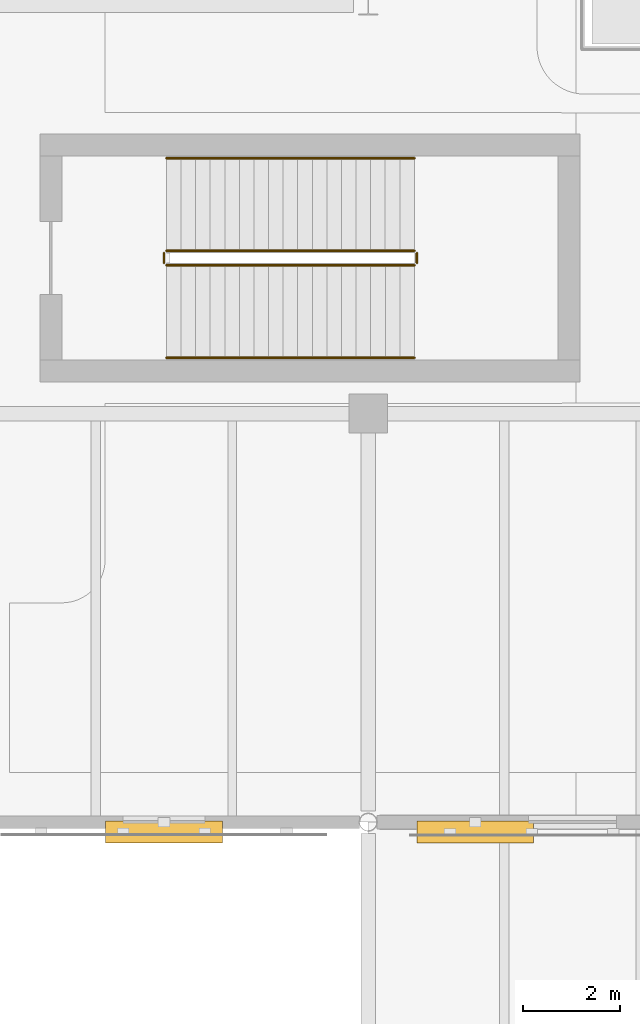
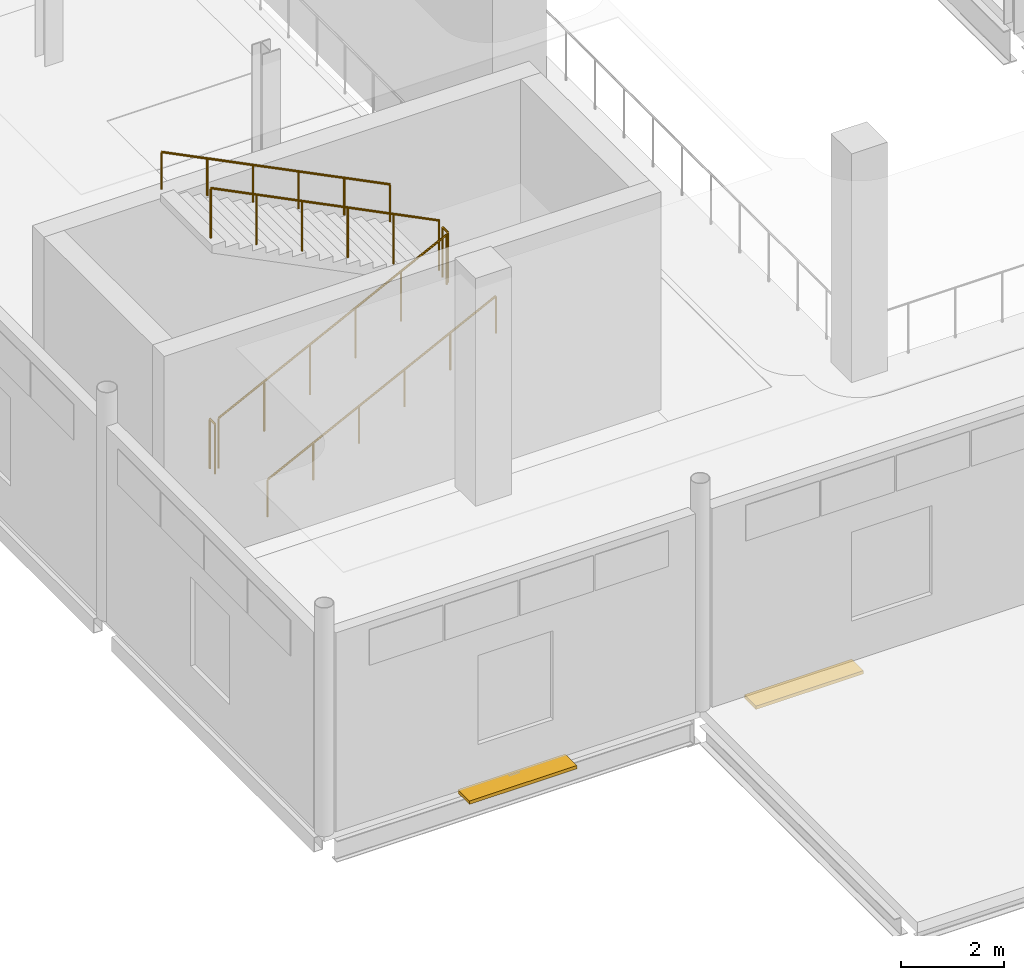
# One storey, part 90 of 110: 6 railings, 2 shading devices.
"""IFC4 building model written with IfcOpenShell, lengths in metres."""

from ifc_helpers import new_model, si_unit, direction, frame, origin, origin_2d, place, context, subcontext, project, spatial, rectangle, circle, extrude, material, type_object, element, save


model = new_model("IFC4")

# Units and contexts
model_context = context("Model", 3, precision=1e-05, world=origin(), true_north=direction((0.0, 1.0)))
body_context = subcontext(model_context, "Body", "Model", "MODEL_VIEW")
ifc_project = project(units=[si_unit("LENGTHUNIT", "METRE"), si_unit("AREAUNIT", "SQUARE_METRE"), si_unit("VOLUMEUNIT", "CUBIC_METRE"), si_unit("PLANEANGLEUNIT", "RADIAN"), si_unit("MASSUNIT", "GRAM", prefix="KILO"), si_unit("THERMODYNAMICTEMPERATUREUNIT", "KELVIN")], contexts=[model_context])

# Site, building, storey
site_placement = place(None, origin())
site = spatial("IfcSite", under=ifc_project, at=site_placement, CompositionType="ELEMENT")
building_placement = place(site_placement, origin())
building = spatial("IfcBuilding", under=site, at=building_placement, Name="Lustrewick Department Store", CompositionType="ELEMENT")
storey_placement = place(building_placement, frame((0.0, 0.0, 6.0)))
storey = spatial("IfcBuildingStorey", under=building, at=storey_placement, Name="L02", CompositionType="ELEMENT", Elevation=6.0)

# Railings
ifc_material_1 = material(Name="Painted tubular steel stairwell guardrail", Category="steel")
railing_type_1 = type_object("IfcRailingType", Name="RL-STG", PredefinedType="GUARDRAIL", material=ifc_material_1)
railing_1_placement = place(storey_placement, frame((121.85009765625, 19.85009765625, 0.14990234375)))
element("IfcRailing", 1, at=railing_1_placement, inside=storey, type_object=railing_type_1, Name="L02 ST07 Stair Guard 1", PredefinedType="GUARDRAIL", context=body_context, shape_type="SweptSolid", body=[
    extrude(circle(Radius=0.02392578125, at=origin_2d()), frame((0.0, 0.0, 1.17578125), z_axis=(0.894418627299, 0.0, 0.447230722492), x_axis=(0.0, 1.0, 0.0)), (0.0, 0.0, 1.0), 5.701904296875),
    extrude(circle(Radius=0.02099609375, at=origin_2d()), origin(), (0.0, 0.0, 1.0), 1.15185546875),
    extrude(circle(Radius=0.02099609375, at=origin_2d()), frame((1.02001953125, 0.0, 0.510009765625)), (0.0, 0.0, 1.0), 1.15185546875),
    extrude(circle(Radius=0.02099609375, at=origin_2d()), frame((2.0400390625, 0.0, 1.02001953125)), (0.0, 0.0, 1.0), 1.15185546875),
    extrude(circle(Radius=0.02099609375, at=origin_2d()), frame((3.059814453125, 0.0, 1.530029296875)), (0.0, 0.0, 1.0), 1.15185546875),
    extrude(circle(Radius=0.02099609375, at=origin_2d()), frame((4.079833984375, 0.0, 2.0400390625)), (0.0, 0.0, 1.0), 1.15185546875),
    extrude(circle(Radius=0.02099609375, at=origin_2d()), frame((5.099853515625, 0.0, 2.550048828125)), (0.0, 0.0, 1.0), 1.15185546875),
])
railing_2_placement = place(storey_placement, frame((127.0, 19.89990234375, 2.699951171875)))
element("IfcRailing", 2, at=railing_2_placement, inside=storey, type_object=railing_type_1, Name="L02 ST07 Stair Guard 2", PredefinedType="GUARDRAIL", context=body_context, shape_type="SweptSolid", body=[
    extrude(circle(Radius=0.02392578125, at=origin_2d()), frame((0.0, 0.0, 1.17578125), z_axis=(0.0, 1.0, 0.0), x_axis=(-1.0, 0.0, 0.0)), (0.0, 0.0, 1.0), 0.2001953125),
    extrude(circle(Radius=0.02099609375, at=origin_2d()), origin(), (0.0, 0.0, 1.0), 1.15185546875),
    extrude(circle(Radius=0.02099609375, at=origin_2d()), frame((0.0, 0.2001953125, 0.0)), (0.0, 0.0, 1.0), 1.15185546875),
])
railing_3_placement = place(storey_placement, frame((126.949951171875, 20.14990234375, 2.85009765625)))
element("IfcRailing", 3, at=railing_3_placement, inside=storey, type_object=railing_type_1, Name="L02 ST07 Stair Guard 3", PredefinedType="GUARDRAIL", context=body_context, shape_type="SweptSolid", body=[
    extrude(circle(Radius=0.02392578125, at=origin_2d()), frame((0.0, 0.0, 1.17578125), z_axis=(-0.894435754537, 0.0, 0.447196468016), x_axis=(0.0, -1.0, 0.0)), (0.0, 0.0, 1.0), 5.70166015625),
    extrude(circle(Radius=0.02099609375, at=origin_2d()), origin(), (0.0, 0.0, 1.0), 1.15185546875),
    extrude(circle(Radius=0.02099609375, at=origin_2d()), frame((-1.02001953125, 0.0, 0.510009765625)), (0.0, 0.0, 1.0), 1.15185546875),
    extrude(circle(Radius=0.02099609375, at=origin_2d()), frame((-2.0400390625, 0.0, 1.02001953125)), (0.0, 0.0, 1.0), 1.15185546875),
    extrude(circle(Radius=0.02099609375, at=origin_2d()), frame((-3.059814453125, 0.0, 1.52978515625)), (0.0, 0.0, 1.0), 1.15185546875),
    extrude(circle(Radius=0.02099609375, at=origin_2d()), frame((-4.079833984375, 0.0, 2.039794921875)), (0.0, 0.0, 1.0), 1.15185546875),
    extrude(circle(Radius=0.02099609375, at=origin_2d()), frame((-5.099853515625, 0.0, 2.5498046875)), (0.0, 0.0, 1.0), 1.15185546875),
])
railing_4_placement = place(storey_placement, frame((121.800048828125, 19.89990234375, 0.0)))
element("IfcRailing", 4, at=railing_4_placement, inside=storey, type_object=railing_type_1, Name="L02 ST07 Stair Guard 4", PredefinedType="GUARDRAIL", context=body_context, shape_type="SweptSolid", body=[
    extrude(circle(Radius=0.02392578125, at=origin_2d()), frame((0.0, 0.0, 1.17578125), z_axis=(0.0, 1.0, 0.0), x_axis=(-1.0, 0.0, 0.0)), (0.0, 0.0, 1.0), 0.2001953125),
    extrude(circle(Radius=0.02099609375, at=origin_2d()), origin(), (0.0, 0.0, 1.0), 1.15185546875),
    extrude(circle(Radius=0.02099609375, at=origin_2d()), frame((0.0, 0.2001953125, 0.0)), (0.0, 0.0, 1.0), 1.15185546875),
])
ifc_material_2 = material(Name="Brushed stainless steel wall handrail", Category="steel")
railing_type_2 = type_object("IfcRailingType", Name="RL-STH", PredefinedType="HANDRAIL", material=ifc_material_2)
railing_5_placement = place(storey_placement, frame((121.85009765625, 17.949951171875, 0.14990234375)))
element("IfcRailing", 5, at=railing_5_placement, inside=storey, type_object=railing_type_2, Name="L02 ST07 Stair Handrail 1", PredefinedType="HANDRAIL", context=body_context, shape_type="SweptSolid", body=[
    extrude(circle(Radius=0.02392578125, at=origin_2d()), frame((0.0, 0.0, 0.8759765625), z_axis=(0.894418627299, 0.0, 0.447230722492), x_axis=(0.0, 1.0, 0.0)), (0.0, 0.0, 1.0), 5.701904296875),
    extrude(circle(Radius=0.02099609375, at=origin_2d()), origin(), (0.0, 0.0, 1.0), 0.851806640625),
    extrude(circle(Radius=0.02099609375, at=origin_2d()), frame((1.02001953125, 0.0, 0.510009765625)), (0.0, 0.0, 1.0), 0.851806640625),
    extrude(circle(Radius=0.02099609375, at=origin_2d()), frame((2.0400390625, 0.0, 1.02001953125)), (0.0, 0.0, 1.0), 0.851806640625),
    extrude(circle(Radius=0.02099609375, at=origin_2d()), frame((3.059814453125, 0.0, 1.530029296875)), (0.0, 0.0, 1.0), 0.851806640625),
    extrude(circle(Radius=0.02099609375, at=origin_2d()), frame((4.079833984375, 0.0, 2.0400390625)), (0.0, 0.0, 1.0), 0.851806640625),
    extrude(circle(Radius=0.02099609375, at=origin_2d()), frame((5.099853515625, 0.0, 2.550048828125)), (0.0, 0.0, 1.0), 0.851806640625),
])
railing_6_placement = place(storey_placement, frame((126.949951171875, 22.050048828125, 2.85009765625)))
element("IfcRailing", 6, at=railing_6_placement, inside=storey, type_object=railing_type_2, Name="L02 ST07 Stair Handrail 2", PredefinedType="HANDRAIL", context=body_context, shape_type="SweptSolid", body=[
    extrude(circle(Radius=0.02392578125, at=origin_2d()), frame((0.0, 0.0, 0.8759765625), z_axis=(-0.894435754537, 0.0, 0.447196468016), x_axis=(0.0, -1.0, 0.0)), (0.0, 0.0, 1.0), 5.70166015625),
    extrude(circle(Radius=0.02099609375, at=origin_2d()), origin(), (0.0, 0.0, 1.0), 0.851806640625),
    extrude(circle(Radius=0.02099609375, at=origin_2d()), frame((-1.02001953125, 0.0, 0.510009765625)), (0.0, 0.0, 1.0), 0.851806640625),
    extrude(circle(Radius=0.02099609375, at=origin_2d()), frame((-2.0400390625, 0.0, 1.02001953125)), (0.0, 0.0, 1.0), 0.851806640625),
    extrude(circle(Radius=0.02099609375, at=origin_2d()), frame((-3.059814453125, 0.0, 1.52978515625)), (0.0, 0.0, 1.0), 0.851806640625),
    extrude(circle(Radius=0.02099609375, at=origin_2d()), frame((-4.079833984375, 0.0, 2.039794921875)), (0.0, 0.0, 1.0), 0.851806640625),
    extrude(circle(Radius=0.02099609375, at=origin_2d()), frame((-5.099853515625, 0.0, 2.5498046875)), (0.0, 0.0, 1.0), 0.851806640625),
])

# Shading devices
ifc_material_3 = material(Name="Perforated white powder-coated aluminium 3003-H24", Category="aluminium")
shading_device_type = type_object("IfcShadingDeviceType", Name="SHD-LOUV", PredefinedType="USERDEFINED", material=ifc_material_3)
for number, where, z_axis, x_axis, name in (
    (7, (121.800048828125, 8.199951171875, -0.16015625), (0.0, 0.0, 1.0), (1.0, 0.0, 0.0), "L02 External Sun Louvre 01"),
    (8, (128.199951171875, 8.199951171875, -0.16015625), (0.0, 0.0, 1.0), (1.0, 0.0, 0.0), "L02 External Sun Louvre 02"),
):
    element("IfcShadingDevice", number, at=place(storey_placement, frame(where, z_axis=z_axis, x_axis=x_axis)), inside=storey, type_object=shading_device_type, Name=name, ObjectType="LOUVRE", PredefinedType="USERDEFINED", context=body_context, shape_type="SweptSolid", body=[
        extrude(rectangle(XDim=2.39990234375, YDim=0.449951171875, at=origin_2d()), origin(), (0.0, 0.0, 1.0), 0.080078125),
    ])

save(model, "model.ifc")
